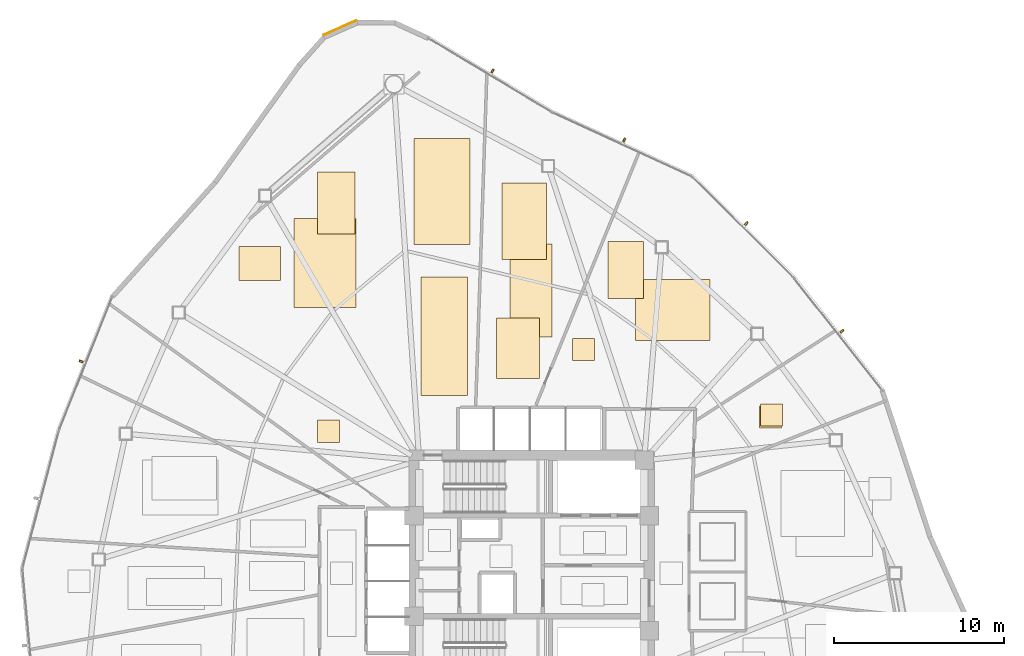
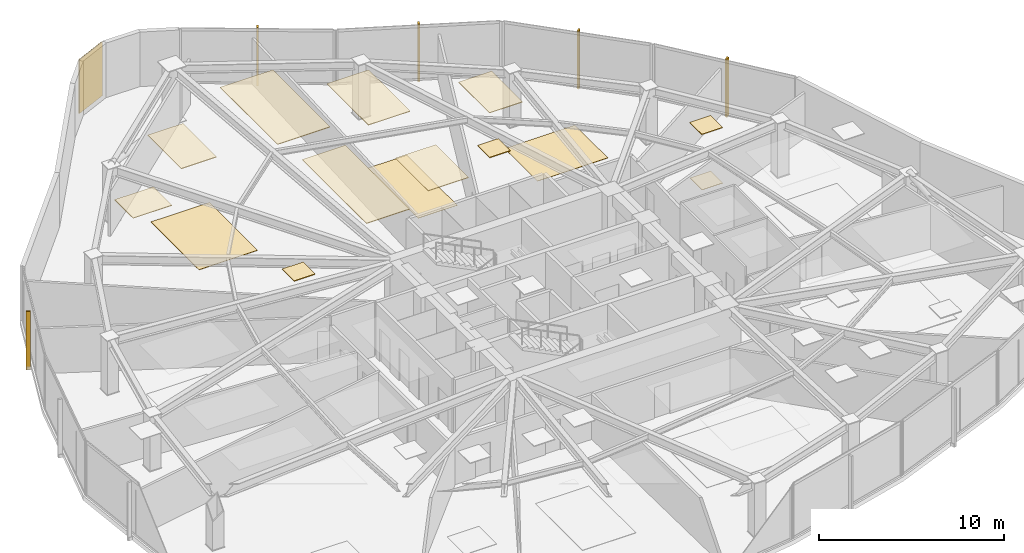
# One storey, part 17 of 17: 15 coverings, 5 shading devices.
"""IFC4 building model written with IfcOpenShell, lengths in metres."""

from ifc_helpers import new_model, si_unit, direction, frame, origin, origin_2d, place, context, subcontext, project, spatial, polyline, rectangle, outline, extrude, source, transform, mapped, material, layer, layer_set, type_object, type_shapes, element, save


model = new_model("IFC4")

# Units and contexts
model_context = context("Model", 3, precision=1e-05, world=origin(), true_north=direction((0.0, 1.0)))
body_context = subcontext(model_context, "Body", "Model", "MODEL_VIEW")
ifc_project = project(units=[si_unit("LENGTHUNIT", "METRE"), si_unit("AREAUNIT", "SQUARE_METRE"), si_unit("VOLUMEUNIT", "CUBIC_METRE"), si_unit("PLANEANGLEUNIT", "RADIAN"), si_unit("MASSUNIT", "GRAM", prefix="KILO")], contexts=[model_context])

# Site, building, storey
site_placement = place(None, origin())
site = spatial("IfcSite", under=ifc_project, at=site_placement, CompositionType="ELEMENT")
building_placement = place(site_placement, origin())
building = spatial("IfcBuilding", under=site, at=building_placement, Name="Tavelor Broadcast Tower", CompositionType="ELEMENT")
storey_placement = place(building_placement, frame((0.0, 0.0, 74.39990234375)))
storey = spatial("IfcBuildingStorey", under=building, at=storey_placement, Name="L17", CompositionType="ELEMENT", Elevation=74.39990234375)

# Coverings
ifc_material_1 = material(Name="Copper-Bronze Anodized Aluminium", Category="aluminium")
ifc_layer_1 = layer(ifc_material_1, 0.050048828125)
ifc_layer_set_1 = layer_set([ifc_layer_1], Name="Copper-Bronze Anodized Aluminium")
covering_type_1 = type_object("IfcCoveringType", Name="Champagne-Bronze Corner Pier Metal Cladding 50 mm", PredefinedType="CLADDING", material=ifc_layer_set_1)
covering_1_placement = place(storey_placement, frame((38.751220703125, 76.583984375, 0.02001953125), z_axis=(0.0, 0.0, 1.0), x_axis=(-0.914607159799, -0.404343595529, 0.0)))
element("IfcCovering", 1, at=covering_1_placement, inside=storey, type_object=covering_type_1, Name="L17 Champagne-Bronze Corner Cladding 03", PredefinedType="CLADDING", context=body_context, shape_type="SweptSolid", body=[
    extrude(rectangle(XDim=2.11962890625, YDim=0.050048828125, at=origin_2d()), origin(), (0.0, 0.0, 1.0), 3.56005859375),
])
ifc_material_2 = material(Name="Acoustic Nylon Carpet Tile")
ifc_layer_2 = layer(ifc_material_2, 0.02001953125)
ifc_layer_set_2 = layer_set([ifc_layer_2], Name="Acoustic Nylon Carpet Tile")
covering_type_2 = type_object("IfcCoveringType", Name="Heavy-Duty Acoustic Broadcast Carpet Tile 20 mm", PredefinedType="FLOORING", material=ifc_layer_set_2)
covering_2_placement = place(storey_placement, origin())
element("IfcCovering", 2, at=covering_2_placement, inside=storey, type_object=covering_type_2, Name="L17 Broadcast Floor Finish 0248", PredefinedType="FLOORING", context=body_context, shape_type="SweptSolid", body=[
    extrude(outline(polyline([(36.046142578125, 60.165771484375), (39.707275390625, 60.165771484375), (39.707275390625, 65.37353515625), (36.046142578125, 65.37353515625), (36.046142578125, 60.165771484375)])), origin(), (0.0, 0.0, 1.0), 0.02001953125),
])
covering_3_placement = place(storey_placement, origin())
element("IfcCovering", 3, at=covering_3_placement, inside=storey, type_object=covering_type_2, Name="L17 Broadcast Floor Finish 0249", PredefinedType="FLOORING", context=body_context, shape_type="SweptSolid", body=[
    extrude(outline(polyline([(48.7333984375, 58.44189453125), (51.1826171875, 58.44189453125), (51.1826171875, 63.902099609375), (48.7333984375, 63.902099609375), (48.7333984375, 58.44189453125)])), origin(), (0.0, 0.0, 1.0), 0.02001953125),
])
covering_4_placement = place(storey_placement, origin())
element("IfcCovering", 4, at=covering_4_placement, inside=storey, type_object=covering_type_2, Name="L17 Broadcast Floor Finish 0250", PredefinedType="FLOORING", context=body_context, shape_type="SweptSolid", body=[
    extrude(outline(polyline([(56.080810546875, 58.2431640625), (60.470703125, 58.2431640625), (60.470703125, 61.801025390625), (56.080810546875, 61.801025390625), (56.080810546875, 58.2431640625)])), origin(), (0.0, 0.0, 1.0), 0.02001953125),
])
covering_5_placement = place(storey_placement, origin())
element("IfcCovering", 5, at=covering_5_placement, inside=storey, type_object=covering_type_2, Name="L17 Broadcast Floor Finish 0251", PredefinedType="FLOORING", context=body_context, shape_type="SweptSolid", body=[
    extrude(outline(polyline([(63.36865234375, 53.080810546875), (64.668701171875, 53.080810546875), (64.668701171875, 54.380615234375), (63.36865234375, 54.380615234375), (63.36865234375, 53.080810546875)])), origin(), (0.0, 0.0, 1.0), 0.02001953125),
])
ifc_material_3 = material(Name="Acoustic Mineral Fibre Tile")
ifc_layer_3 = layer(ifc_material_3, 0.0400390625)
ifc_layer_set_3 = layer_set([ifc_layer_3], Name="Acoustic Mineral Fibre Tile")
covering_type_3 = type_object("IfcCoveringType", Name="Suspended Acoustic Mineral-Fibre Office Ceiling 40 mm", PredefinedType="CEILING", material=ifc_layer_set_3)
covering_6_placement = place(storey_placement, frame((0.0, 0.0, 3.56005859375)))
element("IfcCovering", 6, at=covering_6_placement, inside=storey, type_object=covering_type_3, Name="L17 Suspended Acoustic Ceiling 0716", PredefinedType="CEILING", context=body_context, shape_type="SweptSolid", body=[
    extrude(outline(polyline([(32.840576171875, 61.742431640625), (35.267333984375, 61.742431640625), (35.267333984375, 63.742919921875), (32.840576171875, 63.742919921875), (32.840576171875, 61.742431640625)])), origin(), (0.0, 0.0, 1.0), 0.0400390625),
])
covering_7_placement = place(storey_placement, frame((0.0, 0.0, 3.56005859375)))
element("IfcCovering", 7, at=covering_7_placement, inside=storey, type_object=covering_type_3, Name="L17 Suspended Acoustic Ceiling 0717", PredefinedType="CEILING", context=body_context, shape_type="SweptSolid", body=[
    extrude(outline(polyline([(37.434326171875, 64.480224609375), (39.633056640625, 64.480224609375), (39.633056640625, 68.120361328125), (37.434326171875, 68.120361328125), (37.434326171875, 64.480224609375)])), origin(), (0.0, 0.0, 1.0), 0.0400390625),
])
covering_8_placement = place(storey_placement, frame((0.0, 0.0, 3.56005859375)))
element("IfcCovering", 8, at=covering_8_placement, inside=storey, type_object=covering_type_3, Name="L17 Suspended Acoustic Ceiling 0718", PredefinedType="CEILING", context=body_context, shape_type="SweptSolid", body=[
    extrude(outline(polyline([(43.08251953125, 63.861083984375), (46.374267578125, 63.861083984375), (46.374267578125, 70.068115234375), (43.08251953125, 70.068115234375), (43.08251953125, 63.861083984375)])), origin(), (0.0, 0.0, 1.0), 0.0400390625),
])
covering_9_placement = place(storey_placement, frame((0.0, 0.0, 3.56005859375)))
element("IfcCovering", 9, at=covering_9_placement, inside=storey, type_object=covering_type_3, Name="L17 Suspended Acoustic Ceiling 0719", PredefinedType="CEILING", context=body_context, shape_type="SweptSolid", body=[
    extrude(outline(polyline([(43.5185546875, 55.001220703125), (46.220947265625, 55.001220703125), (46.220947265625, 61.94921875), (43.5185546875, 61.94921875), (43.5185546875, 55.001220703125)])), origin(), (0.0, 0.0, 1.0), 0.0400390625),
])
covering_10_placement = place(storey_placement, frame((0.0, 0.0, 3.56005859375)))
element("IfcCovering", 10, at=covering_10_placement, inside=storey, type_object=covering_type_3, Name="L17 Suspended Acoustic Ceiling 0720", PredefinedType="CEILING", context=body_context, shape_type="SweptSolid", body=[
    extrude(outline(polyline([(37.42578125, 52.251708984375), (38.725830078125, 52.251708984375), (38.725830078125, 53.5517578125), (37.42578125, 53.5517578125), (37.42578125, 52.251708984375)])), origin(), (0.0, 0.0, 1.0), 0.0400390625),
])
covering_11_placement = place(storey_placement, frame((0.0, 0.0, 3.56005859375)))
element("IfcCovering", 11, at=covering_11_placement, inside=storey, type_object=covering_type_3, Name="L17 Suspended Acoustic Ceiling 0721", PredefinedType="CEILING", context=body_context, shape_type="SweptSolid", body=[
    extrude(outline(polyline([(47.94970703125, 55.990478515625), (50.470458984375, 55.990478515625), (50.470458984375, 59.550537109375), (47.94970703125, 59.550537109375), (47.94970703125, 55.990478515625)])), origin(), (0.0, 0.0, 1.0), 0.0400390625),
])
covering_12_placement = place(storey_placement, frame((0.0, 0.0, 3.56005859375)))
element("IfcCovering", 12, at=covering_12_placement, inside=storey, type_object=covering_type_3, Name="L17 Suspended Acoustic Ceiling 0722", PredefinedType="CEILING", context=body_context, shape_type="SweptSolid", body=[
    extrude(outline(polyline([(48.25244140625, 62.984619140625), (50.86328125, 62.984619140625), (50.86328125, 67.474365234375), (48.25244140625, 67.474365234375), (48.25244140625, 62.984619140625)])), origin(), (0.0, 0.0, 1.0), 0.0400390625),
])
covering_13_placement = place(storey_placement, frame((0.0, 0.0, 3.56005859375)))
element("IfcCovering", 13, at=covering_13_placement, inside=storey, type_object=covering_type_3, Name="L17 Suspended Acoustic Ceiling 0723", PredefinedType="CEILING", context=body_context, shape_type="SweptSolid", body=[
    extrude(outline(polyline([(52.39697265625, 57.052001953125), (53.697021484375, 57.052001953125), (53.697021484375, 58.351806640625), (52.39697265625, 58.351806640625), (52.39697265625, 57.052001953125)])), origin(), (0.0, 0.0, 1.0), 0.0400390625),
])
covering_14_placement = place(storey_placement, frame((0.0, 0.0, 3.56005859375)))
element("IfcCovering", 14, at=covering_14_placement, inside=storey, type_object=covering_type_3, Name="L17 Suspended Acoustic Ceiling 0724", PredefinedType="CEILING", context=body_context, shape_type="SweptSolid", body=[
    extrude(outline(polyline([(54.49267578125, 60.7021484375), (56.564453125, 60.7021484375), (56.564453125, 64.041015625), (54.49267578125, 64.041015625), (54.49267578125, 60.7021484375)])), origin(), (0.0, 0.0, 1.0), 0.0400390625),
])
covering_15_placement = place(storey_placement, frame((0.0, 0.0, 3.56005859375)))
element("IfcCovering", 15, at=covering_15_placement, inside=storey, type_object=covering_type_3, Name="L17 Suspended Acoustic Ceiling 0725", PredefinedType="CEILING", context=body_context, shape_type="SweptSolid", body=[
    extrude(outline(polyline([(63.423095703125, 53.202392578125), (64.722900390625, 53.202392578125), (64.722900390625, 54.50244140625), (63.423095703125, 54.50244140625), (63.423095703125, 53.202392578125)])), origin(), (0.0, 0.0, 1.0), 0.0400390625),
])

# Shading devices
ifc_material_4 = material(Name="Kiln-Fired Glazed Terracotta", Category="masonry")
shading_device_type = type_object("IfcShadingDeviceType", Name="Extruded Terracotta Baguette Sun-Screen 110x240", PredefinedType="JALOUSIE", material=ifc_material_4)
shared_shape = source(origin(), body_context, "Body", "SweptSolid", [
    extrude(rectangle(XDim=0.110107421875, YDim=0.239990234375, at=origin_2d()), origin(), (0.0, 0.0, 1.0), 3.840087890625),
])
type_shapes(shading_device_type, [shared_shape])
for number, where, z_axis, x_axis, name in (
    (16, (23.557861328125, 57.005615234375, -0.259765625), (0.0, 0.0, 1.0), (-0.370881630624, -0.928680147341, 0.0), "L17 Terracotta Baguette Fin 157"),
    (17, (68.21826171875, 58.779052734375, -0.259765625), (0.0, 0.0, 1.0), (-0.618682673481, 0.78564098005, 0.0), "L17 Terracotta Baguette Fin 165"),
    (18, (62.595458984375, 65.090087890625, -0.259765625), (0.0, 0.0, 1.0), (-0.709324729572, 0.704881853942, 0.0), "L17 Terracotta Baguette Fin 166"),
    (19, (55.434814453125, 69.994873046875, -0.259765625), (0.0, 0.0, 1.0), (-0.908435232127, 0.418025632026, 0.0), "L17 Terracotta Baguette Fin 167"),
    (20, (47.707763671875, 74.052490234375, -0.259765625), (0.0, 0.0, 1.0), (-0.857885593737, 0.513840741921, 0.0), "L17 Terracotta Baguette Fin 168"),
):
    element("IfcShadingDevice", number, at=place(storey_placement, frame(where, z_axis=z_axis, x_axis=x_axis)), inside=storey, type_object=shading_device_type, Name=name, PredefinedType="JALOUSIE", context=body_context, shape_type="MappedRepresentation", body=[
        mapped(shared_shape, transform((0.0, 0.0, 0.0), scale=1.0)),
    ])

save(model, "model.ifc")
